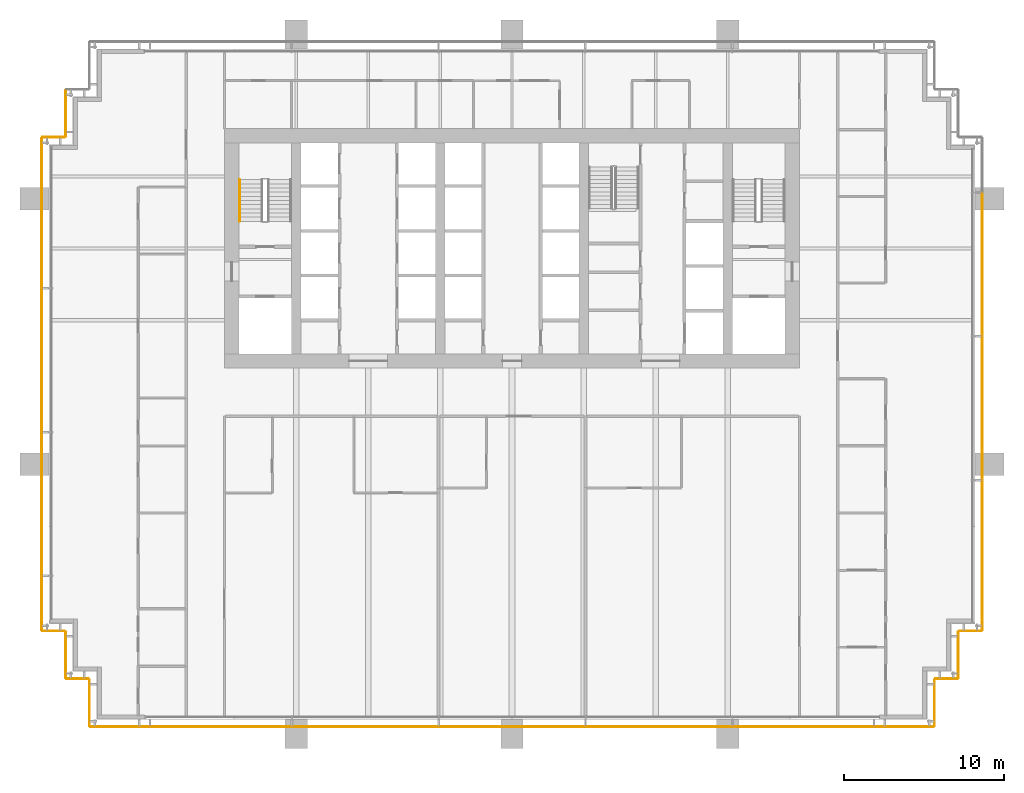
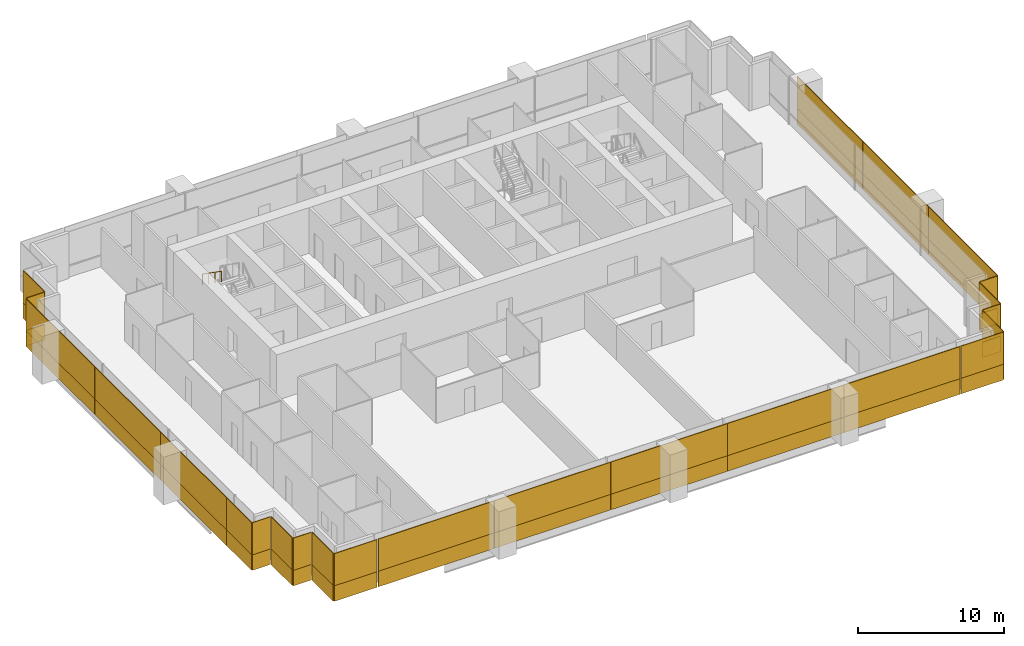
# One storey, part 15 of 17: 48 coverings, 1 railing.
"""IFC4 building model written with IfcOpenShell, lengths in metres."""

from ifc_helpers import new_model, si_unit, direction, frame, origin, origin_2d, place, context, subcontext, project, spatial, rectangle, extrude, material, layer, layer_set, type_object, element, save


model = new_model("IFC4")

# Units and contexts
model_context = context("Model", 3, precision=1e-05, world=origin(), true_north=direction((0.0, 1.0)))
body_context = subcontext(model_context, "Body", "Model", "MODEL_VIEW")
ifc_project = project(units=[si_unit("LENGTHUNIT", "METRE"), si_unit("AREAUNIT", "SQUARE_METRE"), si_unit("VOLUMEUNIT", "CUBIC_METRE"), si_unit("PLANEANGLEUNIT", "RADIAN"), si_unit("MASSUNIT", "GRAM", prefix="KILO")], contexts=[model_context])

# Site, building, storey
site_placement = place(None, origin())
site = spatial("IfcSite", under=ifc_project, at=site_placement, CompositionType="ELEMENT")
building_placement = place(site_placement, origin())
building = spatial("IfcBuilding", under=site, at=building_placement, Name="Rattan Terrace Tower", CompositionType="ELEMENT")
storey_placement = place(building_placement, frame((0.0, 0.0, 146.10009765625)))
storey = spatial("IfcBuildingStorey", under=building, at=storey_placement, Name="L33", CompositionType="ELEMENT", Elevation=146.10009765625)

# Railing
ifc_material_1 = material(Name="Powder-coated steel handrail", Category="steel")
railing_type = type_object("IfcRailingType", Name="Core stair handrail", PredefinedType="HANDRAIL", material=ifc_material_1)
railing_placement = place(storey_placement, frame((-17.050048828125, 4.300048828125, 2.181640625)))
element("IfcRailing", 1, at=railing_placement, inside=storey, type_object=railing_type, Name="L33 S1 stair handrail 2", PredefinedType="HANDRAIL", context=body_context, shape_type="SweptSolid", body=[
    extrude(rectangle(XDim=0.048095703125, YDim=0.048095703125, at=origin_2d()), frame((0.0, 0.0, 0.8759765625), z_axis=(0.0, -0.819484887739, 0.573100792852), x_axis=(1.0, 0.0, 0.0)), (0.0, 0.0, 1.0), 3.1728515625),
    extrude(rectangle(XDim=0.0419921875, YDim=0.0419921875, at=origin_2d()), origin(), (0.0, 0.0, 1.0), 0.851806640625),
    extrude(rectangle(XDim=0.0419921875, YDim=0.0419921875, at=origin_2d()), frame((0.0, -0.86669921875, 0.606201171875)), (0.0, 0.0, 1.0), 0.851806640625),
    extrude(rectangle(XDim=0.0419921875, YDim=0.0419921875, at=origin_2d()), frame((0.0, -1.7333984375, 1.212158203125)), (0.0, 0.0, 1.0), 0.851806640625),
    extrude(rectangle(XDim=0.0419921875, YDim=0.0419921875, at=origin_2d()), frame((0.0, -2.60009765625, 1.818359375)), (0.0, 0.0, 1.0), 0.851806640625),
])

# Coverings
ifc_material_2 = material(Name="Solid terracotta", Category="masonry")
ifc_layer_1 = layer(ifc_material_2, 0.06005859375)
ifc_layer_set_1 = layer_set([ifc_layer_1], Name="Facade Terracotta Band Panel")
covering_type_1 = type_object("IfcCoveringType", Name="Facade Terracotta Band Panel", PredefinedType="CLADDING", material=ifc_layer_set_1)
covering_1_placement = place(storey_placement, frame((24.72509765625, -29.949951171875, -0.18994140625), z_axis=(0.0, 0.0, 1.0), x_axis=(1.0, 0.0, 0.0)))
element("IfcCovering", 2, at=covering_1_placement, inside=storey, type_object=covering_type_1, Name="OUTER SKIN panel L33-1A", PredefinedType="CLADDING", context=body_context, shape_type="SweptSolid", body=[
    extrude(rectangle(XDim=3.3701171875, YDim=0.06005859375, at=origin_2d()), origin(), (0.0, 0.0, 1.0), 1.300048828125),
])
covering_2_placement = place(storey_placement, frame((26.449951171875, -28.449951171875, -0.18994140625), z_axis=(0.0, 0.0, 1.0), x_axis=(0.0, 1.0, 0.0)))
element("IfcCovering", 3, at=covering_2_placement, inside=storey, type_object=covering_type_1, Name="OUTER SKIN panel L33-2A", PredefinedType="CLADDING", context=body_context, shape_type="SweptSolid", body=[
    extrude(rectangle(XDim=2.919921875, YDim=0.06005859375, at=origin_2d()), origin(), (0.0, 0.0, 1.0), 1.300048828125),
])
covering_3_placement = place(storey_placement, frame((27.199951171875, -26.949951171875, -0.18994140625), z_axis=(0.0, 0.0, 1.0), x_axis=(1.0, 0.0, 0.0)))
element("IfcCovering", 4, at=covering_3_placement, inside=storey, type_object=covering_type_1, Name="OUTER SKIN panel L33-3A", PredefinedType="CLADDING", context=body_context, shape_type="SweptSolid", body=[
    extrude(rectangle(XDim=1.419921875, YDim=0.06005859375, at=origin_2d()), origin(), (0.0, 0.0, 1.0), 1.300048828125),
])
covering_4_placement = place(storey_placement, frame((27.949951171875, -25.449951171875, -0.18994140625), z_axis=(0.0, 0.0, 1.0), x_axis=(0.0, 1.0, 0.0)))
element("IfcCovering", 5, at=covering_4_placement, inside=storey, type_object=covering_type_1, Name="OUTER SKIN panel L33-4A", PredefinedType="CLADDING", context=body_context, shape_type="SweptSolid", body=[
    extrude(rectangle(XDim=2.919921875, YDim=0.06005859375, at=origin_2d()), origin(), (0.0, 0.0, 1.0), 1.300048828125),
])
covering_5_placement = place(storey_placement, frame((28.699951171875, -23.949951171875, -0.18994140625), z_axis=(0.0, 0.0, 1.0), x_axis=(1.0, 0.0, 0.0)))
element("IfcCovering", 6, at=covering_5_placement, inside=storey, type_object=covering_type_1, Name="OUTER SKIN panel L33-5A", PredefinedType="CLADDING", context=body_context, shape_type="SweptSolid", body=[
    extrude(rectangle(XDim=1.419921875, YDim=0.06005859375, at=origin_2d()), origin(), (0.0, 0.0, 1.0), 1.300048828125),
])
covering_6_placement = place(storey_placement, frame((29.449951171875, -19.2099609375, -0.18994140625), z_axis=(0.0, 0.0, 1.0), x_axis=(0.0, 1.0, 0.0)))
element("IfcCovering", 7, at=covering_6_placement, inside=storey, type_object=covering_type_1, Name="OUTER SKIN panel L33-6A", PredefinedType="CLADDING", context=body_context, shape_type="SweptSolid", body=[
    extrude(rectangle(XDim=9.39990234375, YDim=0.06005859375, at=origin_2d()), origin(), (0.0, 0.0, 1.0), 1.300048828125),
])
for number, where, z_axis, x_axis, name in (
    (8, (29.449951171875, -10.0, -0.18994140625), (0.0, 0.0, 1.0), (0.0, 1.0, 0.0), "OUTER SKIN panel L33-7A"),
    (9, (29.449951171875, -1.0, -0.18994140625), (0.0, 0.0, 1.0), (0.0, 1.0, 0.0), "OUTER SKIN panel L33-8A"),
):
    element("IfcCovering", number, at=place(storey_placement, frame(where, z_axis=z_axis, x_axis=x_axis)), inside=storey, type_object=covering_type_1, Name=name, PredefinedType="CLADDING", context=body_context, shape_type="SweptSolid", body=[
        extrude(rectangle(XDim=8.97998046875, YDim=0.06005859375, at=origin_2d()), origin(), (0.0, 0.0, 1.0), 1.300048828125),
    ])
covering_7_placement = place(storey_placement, frame((-27.949951171875, 8.449951171875, -0.18994140625), z_axis=(0.0, 0.0, 1.0), x_axis=(0.0, -1.0, 0.0)))
element("IfcCovering", 10, at=covering_7_placement, inside=storey, type_object=covering_type_1, Name="OUTER SKIN panel L33-23A", PredefinedType="CLADDING", context=body_context, shape_type="SweptSolid", body=[
    extrude(rectangle(XDim=2.919921875, YDim=0.06005859375, at=origin_2d()), origin(), (0.0, 0.0, 1.0), 1.300048828125),
])
covering_8_placement = place(storey_placement, frame((-28.699951171875, 6.949951171875, -0.18994140625), z_axis=(0.0, 0.0, 1.0), x_axis=(-1.0, 0.0, 0.0)))
element("IfcCovering", 11, at=covering_8_placement, inside=storey, type_object=covering_type_1, Name="OUTER SKIN panel L33-24A", PredefinedType="CLADDING", context=body_context, shape_type="SweptSolid", body=[
    extrude(rectangle(XDim=1.419921875, YDim=0.06005859375, at=origin_2d()), origin(), (0.0, 0.0, 1.0), 1.300048828125),
])
covering_9_placement = place(storey_placement, frame((-29.449951171875, 2.2099609375, -0.18994140625), z_axis=(0.0, 0.0, 1.0), x_axis=(0.0, -1.0, 0.0)))
element("IfcCovering", 12, at=covering_9_placement, inside=storey, type_object=covering_type_1, Name="OUTER SKIN panel L33-25A", PredefinedType="CLADDING", context=body_context, shape_type="SweptSolid", body=[
    extrude(rectangle(XDim=9.39990234375, YDim=0.06005859375, at=origin_2d()), origin(), (0.0, 0.0, 1.0), 1.300048828125),
])
for number, where, z_axis, x_axis, name in (
    (13, (-29.449951171875, -7.0, -0.18994140625), (0.0, 0.0, 1.0), (0.0, -1.0, 0.0), "OUTER SKIN panel L33-26A"),
    (14, (-29.449951171875, -16.0, -0.18994140625), (0.0, 0.0, 1.0), (0.0, -1.0, 0.0), "OUTER SKIN panel L33-27A"),
):
    element("IfcCovering", number, at=place(storey_placement, frame(where, z_axis=z_axis, x_axis=x_axis)), inside=storey, type_object=covering_type_1, Name=name, PredefinedType="CLADDING", context=body_context, shape_type="SweptSolid", body=[
        extrude(rectangle(XDim=8.97998046875, YDim=0.06005859375, at=origin_2d()), origin(), (0.0, 0.0, 1.0), 1.300048828125),
    ])
covering_10_placement = place(storey_placement, frame((-29.449951171875, -22.2099609375, -0.18994140625), z_axis=(0.0, 0.0, 1.0), x_axis=(0.0, -1.0, 0.0)))
element("IfcCovering", 15, at=covering_10_placement, inside=storey, type_object=covering_type_1, Name="OUTER SKIN panel L33-28A", PredefinedType="CLADDING", context=body_context, shape_type="SweptSolid", body=[
    extrude(rectangle(XDim=3.39990234375, YDim=0.06005859375, at=origin_2d()), origin(), (0.0, 0.0, 1.0), 1.300048828125),
])
covering_11_placement = place(storey_placement, frame((-28.699951171875, -23.949951171875, -0.18994140625), z_axis=(0.0, 0.0, 1.0), x_axis=(1.0, 0.0, 0.0)))
element("IfcCovering", 16, at=covering_11_placement, inside=storey, type_object=covering_type_1, Name="OUTER SKIN panel L33-29A", PredefinedType="CLADDING", context=body_context, shape_type="SweptSolid", body=[
    extrude(rectangle(XDim=1.419921875, YDim=0.06005859375, at=origin_2d()), origin(), (0.0, 0.0, 1.0), 1.300048828125),
])
covering_12_placement = place(storey_placement, frame((-27.949951171875, -25.449951171875, -0.18994140625), z_axis=(0.0, 0.0, 1.0), x_axis=(0.0, -1.0, 0.0)))
element("IfcCovering", 17, at=covering_12_placement, inside=storey, type_object=covering_type_1, Name="OUTER SKIN panel L33-30A", PredefinedType="CLADDING", context=body_context, shape_type="SweptSolid", body=[
    extrude(rectangle(XDim=2.919921875, YDim=0.06005859375, at=origin_2d()), origin(), (0.0, 0.0, 1.0), 1.300048828125),
])
covering_13_placement = place(storey_placement, frame((-27.199951171875, -26.949951171875, -0.18994140625), z_axis=(0.0, 0.0, 1.0), x_axis=(1.0, 0.0, 0.0)))
element("IfcCovering", 18, at=covering_13_placement, inside=storey, type_object=covering_type_1, Name="OUTER SKIN panel L33-31A", PredefinedType="CLADDING", context=body_context, shape_type="SweptSolid", body=[
    extrude(rectangle(XDim=1.419921875, YDim=0.06005859375, at=origin_2d()), origin(), (0.0, 0.0, 1.0), 1.300048828125),
])
covering_14_placement = place(storey_placement, frame((-26.449951171875, -28.449951171875, -0.18994140625), z_axis=(0.0, 0.0, 1.0), x_axis=(0.0, -1.0, 0.0)))
element("IfcCovering", 19, at=covering_14_placement, inside=storey, type_object=covering_type_1, Name="OUTER SKIN panel L33-32A", PredefinedType="CLADDING", context=body_context, shape_type="SweptSolid", body=[
    extrude(rectangle(XDim=2.919921875, YDim=0.06005859375, at=origin_2d()), origin(), (0.0, 0.0, 1.0), 1.300048828125),
])
covering_15_placement = place(storey_placement, frame((-24.72509765625, -29.949951171875, -0.18994140625), z_axis=(0.0, 0.0, 1.0), x_axis=(1.0, 0.0, 0.0)))
element("IfcCovering", 20, at=covering_15_placement, inside=storey, type_object=covering_type_1, Name="OUTER SKIN panel L33-33A", PredefinedType="CLADDING", context=body_context, shape_type="SweptSolid", body=[
    extrude(rectangle(XDim=3.3701171875, YDim=0.06005859375, at=origin_2d()), origin(), (0.0, 0.0, 1.0), 1.300048828125),
])
covering_16_placement = place(storey_placement, frame((-18.384521484375, -29.949951171875, -0.18994140625), z_axis=(0.0, 0.0, 1.0), x_axis=(1.0, 0.0, 0.0)))
element("IfcCovering", 21, at=covering_16_placement, inside=storey, type_object=covering_type_1, Name="OUTER SKIN panel L33-34A", PredefinedType="CLADDING", context=body_context, shape_type="SweptSolid", body=[
    extrude(rectangle(XDim=9.15087890625, YDim=0.06005859375, at=origin_2d()), origin(), (0.0, 0.0, 1.0), 1.300048828125),
])
for number, where, z_axis, x_axis, name in (
    (22, (-9.198486328125, -29.949951171875, -0.18994140625), (0.0, 0.0, 1.0), (1.0, 0.0, 0.0), "OUTER SKIN panel L33-35A"),
    (23, (0.00244140625, -29.949951171875, -0.18994140625), (0.0, 0.0, 1.0), (1.0, 0.0, 0.0), "OUTER SKIN panel L33-36A"),
    (24, (9.20361328125, -29.949951171875, -0.18994140625), (0.0, 0.0, 1.0), (1.0, 0.0, 0.0), "OUTER SKIN panel L33-37A"),
):
    element("IfcCovering", number, at=place(storey_placement, frame(where, z_axis=z_axis, x_axis=x_axis)), inside=storey, type_object=covering_type_1, Name=name, PredefinedType="CLADDING", context=body_context, shape_type="SweptSolid", body=[
        extrude(rectangle(XDim=9.180908203125, YDim=0.06005859375, at=origin_2d()), origin(), (0.0, 0.0, 1.0), 1.300048828125),
    ])
covering_17_placement = place(storey_placement, frame((18.386962890625, -29.949951171875, -0.18994140625), z_axis=(0.0, 0.0, 1.0), x_axis=(1.0, 0.0, 0.0)))
element("IfcCovering", 25, at=covering_17_placement, inside=storey, type_object=covering_type_1, Name="OUTER SKIN panel L33-38A", PredefinedType="CLADDING", context=body_context, shape_type="SweptSolid", body=[
    extrude(rectangle(XDim=9.14599609375, YDim=0.06005859375, at=origin_2d()), origin(), (0.0, 0.0, 1.0), 1.300048828125),
])
ifc_material_3 = material(Name="Perforated terracotta", Category="masonry")
ifc_layer_2 = layer(ifc_material_3, 0.06005859375)
ifc_layer_set_2 = layer_set([ifc_layer_2], Name="Facade Terracotta Screen Panel")
covering_type_2 = type_object("IfcCoveringType", Name="Facade Terracotta Screen Panel", PredefinedType="CLADDING", material=ifc_layer_set_2)
covering_18_placement = place(storey_placement, frame((24.72509765625, -29.949951171875, 1.10986328125), z_axis=(0.0, 0.0, 1.0), x_axis=(1.0, 0.0, 0.0)))
element("IfcCovering", 26, at=covering_18_placement, inside=storey, type_object=covering_type_2, Name="OUTER SKIN panel L33-1B", PredefinedType="CLADDING", context=body_context, shape_type="SweptSolid", body=[
    extrude(rectangle(XDim=3.3701171875, YDim=0.06005859375, at=origin_2d()), origin(), (0.0, 0.0, 1.0), 2.679931640625),
])
covering_19_placement = place(storey_placement, frame((26.449951171875, -28.449951171875, 1.10986328125), z_axis=(0.0, 0.0, 1.0), x_axis=(0.0, 1.0, 0.0)))
element("IfcCovering", 27, at=covering_19_placement, inside=storey, type_object=covering_type_2, Name="OUTER SKIN panel L33-2B", PredefinedType="CLADDING", context=body_context, shape_type="SweptSolid", body=[
    extrude(rectangle(XDim=2.919921875, YDim=0.06005859375, at=origin_2d()), origin(), (0.0, 0.0, 1.0), 2.679931640625),
])
covering_20_placement = place(storey_placement, frame((27.199951171875, -26.949951171875, 1.10986328125), z_axis=(0.0, 0.0, 1.0), x_axis=(1.0, 0.0, 0.0)))
element("IfcCovering", 28, at=covering_20_placement, inside=storey, type_object=covering_type_2, Name="OUTER SKIN panel L33-3B", PredefinedType="CLADDING", context=body_context, shape_type="SweptSolid", body=[
    extrude(rectangle(XDim=1.419921875, YDim=0.06005859375, at=origin_2d()), origin(), (0.0, 0.0, 1.0), 2.679931640625),
])
covering_21_placement = place(storey_placement, frame((27.949951171875, -25.449951171875, 1.10986328125), z_axis=(0.0, 0.0, 1.0), x_axis=(0.0, 1.0, 0.0)))
element("IfcCovering", 29, at=covering_21_placement, inside=storey, type_object=covering_type_2, Name="OUTER SKIN panel L33-4B", PredefinedType="CLADDING", context=body_context, shape_type="SweptSolid", body=[
    extrude(rectangle(XDim=2.919921875, YDim=0.06005859375, at=origin_2d()), origin(), (0.0, 0.0, 1.0), 2.679931640625),
])
covering_22_placement = place(storey_placement, frame((28.699951171875, -23.949951171875, 1.10986328125), z_axis=(0.0, 0.0, 1.0), x_axis=(1.0, 0.0, 0.0)))
element("IfcCovering", 30, at=covering_22_placement, inside=storey, type_object=covering_type_2, Name="OUTER SKIN panel L33-5B", PredefinedType="CLADDING", context=body_context, shape_type="SweptSolid", body=[
    extrude(rectangle(XDim=1.419921875, YDim=0.06005859375, at=origin_2d()), origin(), (0.0, 0.0, 1.0), 2.679931640625),
])
covering_23_placement = place(storey_placement, frame((29.449951171875, -19.2099609375, 1.10986328125), z_axis=(0.0, 0.0, 1.0), x_axis=(0.0, 1.0, 0.0)))
element("IfcCovering", 31, at=covering_23_placement, inside=storey, type_object=covering_type_2, Name="OUTER SKIN panel L33-6B", PredefinedType="CLADDING", context=body_context, shape_type="SweptSolid", body=[
    extrude(rectangle(XDim=9.39990234375, YDim=0.06005859375, at=origin_2d()), origin(), (0.0, 0.0, 1.0), 2.679931640625),
])
for number, where, z_axis, x_axis, name in (
    (32, (29.449951171875, -10.0, 1.10986328125), (0.0, 0.0, 1.0), (0.0, 1.0, 0.0), "OUTER SKIN panel L33-7B"),
    (33, (29.449951171875, -1.0, 1.10986328125), (0.0, 0.0, 1.0), (0.0, 1.0, 0.0), "OUTER SKIN panel L33-8B"),
):
    element("IfcCovering", number, at=place(storey_placement, frame(where, z_axis=z_axis, x_axis=x_axis)), inside=storey, type_object=covering_type_2, Name=name, PredefinedType="CLADDING", context=body_context, shape_type="SweptSolid", body=[
        extrude(rectangle(XDim=8.97998046875, YDim=0.06005859375, at=origin_2d()), origin(), (0.0, 0.0, 1.0), 2.679931640625),
    ])
covering_24_placement = place(storey_placement, frame((-27.949951171875, 8.449951171875, 1.10986328125), z_axis=(0.0, 0.0, 1.0), x_axis=(0.0, -1.0, 0.0)))
element("IfcCovering", 34, at=covering_24_placement, inside=storey, type_object=covering_type_2, Name="OUTER SKIN panel L33-23B", PredefinedType="CLADDING", context=body_context, shape_type="SweptSolid", body=[
    extrude(rectangle(XDim=2.919921875, YDim=0.06005859375, at=origin_2d()), origin(), (0.0, 0.0, 1.0), 2.679931640625),
])
covering_25_placement = place(storey_placement, frame((-28.699951171875, 6.949951171875, 1.10986328125), z_axis=(0.0, 0.0, 1.0), x_axis=(-1.0, 0.0, 0.0)))
element("IfcCovering", 35, at=covering_25_placement, inside=storey, type_object=covering_type_2, Name="OUTER SKIN panel L33-24B", PredefinedType="CLADDING", context=body_context, shape_type="SweptSolid", body=[
    extrude(rectangle(XDim=1.419921875, YDim=0.06005859375, at=origin_2d()), origin(), (0.0, 0.0, 1.0), 2.679931640625),
])
covering_26_placement = place(storey_placement, frame((-29.449951171875, 2.2099609375, 1.10986328125), z_axis=(0.0, 0.0, 1.0), x_axis=(0.0, -1.0, 0.0)))
element("IfcCovering", 36, at=covering_26_placement, inside=storey, type_object=covering_type_2, Name="OUTER SKIN panel L33-25B", PredefinedType="CLADDING", context=body_context, shape_type="SweptSolid", body=[
    extrude(rectangle(XDim=9.39990234375, YDim=0.06005859375, at=origin_2d()), origin(), (0.0, 0.0, 1.0), 2.679931640625),
])
for number, where, z_axis, x_axis, name in (
    (37, (-29.449951171875, -7.0, 1.10986328125), (0.0, 0.0, 1.0), (0.0, -1.0, 0.0), "OUTER SKIN panel L33-26B"),
    (38, (-29.449951171875, -16.0, 1.10986328125), (0.0, 0.0, 1.0), (0.0, -1.0, 0.0), "OUTER SKIN panel L33-27B"),
):
    element("IfcCovering", number, at=place(storey_placement, frame(where, z_axis=z_axis, x_axis=x_axis)), inside=storey, type_object=covering_type_2, Name=name, PredefinedType="CLADDING", context=body_context, shape_type="SweptSolid", body=[
        extrude(rectangle(XDim=8.97998046875, YDim=0.06005859375, at=origin_2d()), origin(), (0.0, 0.0, 1.0), 2.679931640625),
    ])
covering_27_placement = place(storey_placement, frame((-29.449951171875, -22.2099609375, 1.10986328125), z_axis=(0.0, 0.0, 1.0), x_axis=(0.0, -1.0, 0.0)))
element("IfcCovering", 39, at=covering_27_placement, inside=storey, type_object=covering_type_2, Name="OUTER SKIN panel L33-28B", PredefinedType="CLADDING", context=body_context, shape_type="SweptSolid", body=[
    extrude(rectangle(XDim=3.39990234375, YDim=0.06005859375, at=origin_2d()), origin(), (0.0, 0.0, 1.0), 2.679931640625),
])
covering_28_placement = place(storey_placement, frame((-28.699951171875, -23.949951171875, 1.10986328125), z_axis=(0.0, 0.0, 1.0), x_axis=(1.0, 0.0, 0.0)))
element("IfcCovering", 40, at=covering_28_placement, inside=storey, type_object=covering_type_2, Name="OUTER SKIN panel L33-29B", PredefinedType="CLADDING", context=body_context, shape_type="SweptSolid", body=[
    extrude(rectangle(XDim=1.419921875, YDim=0.06005859375, at=origin_2d()), origin(), (0.0, 0.0, 1.0), 2.679931640625),
])
covering_29_placement = place(storey_placement, frame((-27.949951171875, -25.449951171875, 1.10986328125), z_axis=(0.0, 0.0, 1.0), x_axis=(0.0, -1.0, 0.0)))
element("IfcCovering", 41, at=covering_29_placement, inside=storey, type_object=covering_type_2, Name="OUTER SKIN panel L33-30B", PredefinedType="CLADDING", context=body_context, shape_type="SweptSolid", body=[
    extrude(rectangle(XDim=2.919921875, YDim=0.06005859375, at=origin_2d()), origin(), (0.0, 0.0, 1.0), 2.679931640625),
])
covering_30_placement = place(storey_placement, frame((-27.199951171875, -26.949951171875, 1.10986328125), z_axis=(0.0, 0.0, 1.0), x_axis=(1.0, 0.0, 0.0)))
element("IfcCovering", 42, at=covering_30_placement, inside=storey, type_object=covering_type_2, Name="OUTER SKIN panel L33-31B", PredefinedType="CLADDING", context=body_context, shape_type="SweptSolid", body=[
    extrude(rectangle(XDim=1.419921875, YDim=0.06005859375, at=origin_2d()), origin(), (0.0, 0.0, 1.0), 2.679931640625),
])
covering_31_placement = place(storey_placement, frame((-26.449951171875, -28.449951171875, 1.10986328125), z_axis=(0.0, 0.0, 1.0), x_axis=(0.0, -1.0, 0.0)))
element("IfcCovering", 43, at=covering_31_placement, inside=storey, type_object=covering_type_2, Name="OUTER SKIN panel L33-32B", PredefinedType="CLADDING", context=body_context, shape_type="SweptSolid", body=[
    extrude(rectangle(XDim=2.919921875, YDim=0.06005859375, at=origin_2d()), origin(), (0.0, 0.0, 1.0), 2.679931640625),
])
covering_32_placement = place(storey_placement, frame((-24.72509765625, -29.949951171875, 1.10986328125), z_axis=(0.0, 0.0, 1.0), x_axis=(1.0, 0.0, 0.0)))
element("IfcCovering", 44, at=covering_32_placement, inside=storey, type_object=covering_type_2, Name="OUTER SKIN panel L33-33B", PredefinedType="CLADDING", context=body_context, shape_type="SweptSolid", body=[
    extrude(rectangle(XDim=3.3701171875, YDim=0.06005859375, at=origin_2d()), origin(), (0.0, 0.0, 1.0), 2.679931640625),
])
covering_33_placement = place(storey_placement, frame((-18.384521484375, -29.949951171875, 1.10986328125), z_axis=(0.0, 0.0, 1.0), x_axis=(1.0, 0.0, 0.0)))
element("IfcCovering", 45, at=covering_33_placement, inside=storey, type_object=covering_type_2, Name="OUTER SKIN panel L33-34B", PredefinedType="CLADDING", context=body_context, shape_type="SweptSolid", body=[
    extrude(rectangle(XDim=9.15087890625, YDim=0.06005859375, at=origin_2d()), origin(), (0.0, 0.0, 1.0), 2.679931640625),
])
for number, where, z_axis, x_axis, name in (
    (46, (-9.198486328125, -29.949951171875, 1.10986328125), (0.0, 0.0, 1.0), (1.0, 0.0, 0.0), "OUTER SKIN panel L33-35B"),
    (47, (0.00244140625, -29.949951171875, 1.10986328125), (0.0, 0.0, 1.0), (1.0, 0.0, 0.0), "OUTER SKIN panel L33-36B"),
    (48, (9.20361328125, -29.949951171875, 1.10986328125), (0.0, 0.0, 1.0), (1.0, 0.0, 0.0), "OUTER SKIN panel L33-37B"),
):
    element("IfcCovering", number, at=place(storey_placement, frame(where, z_axis=z_axis, x_axis=x_axis)), inside=storey, type_object=covering_type_2, Name=name, PredefinedType="CLADDING", context=body_context, shape_type="SweptSolid", body=[
        extrude(rectangle(XDim=9.180908203125, YDim=0.06005859375, at=origin_2d()), origin(), (0.0, 0.0, 1.0), 2.679931640625),
    ])
covering_34_placement = place(storey_placement, frame((18.386962890625, -29.949951171875, 1.10986328125), z_axis=(0.0, 0.0, 1.0), x_axis=(1.0, 0.0, 0.0)))
element("IfcCovering", 49, at=covering_34_placement, inside=storey, type_object=covering_type_2, Name="OUTER SKIN panel L33-38B", PredefinedType="CLADDING", context=body_context, shape_type="SweptSolid", body=[
    extrude(rectangle(XDim=9.14599609375, YDim=0.06005859375, at=origin_2d()), origin(), (0.0, 0.0, 1.0), 2.679931640625),
])

save(model, "model.ifc")
